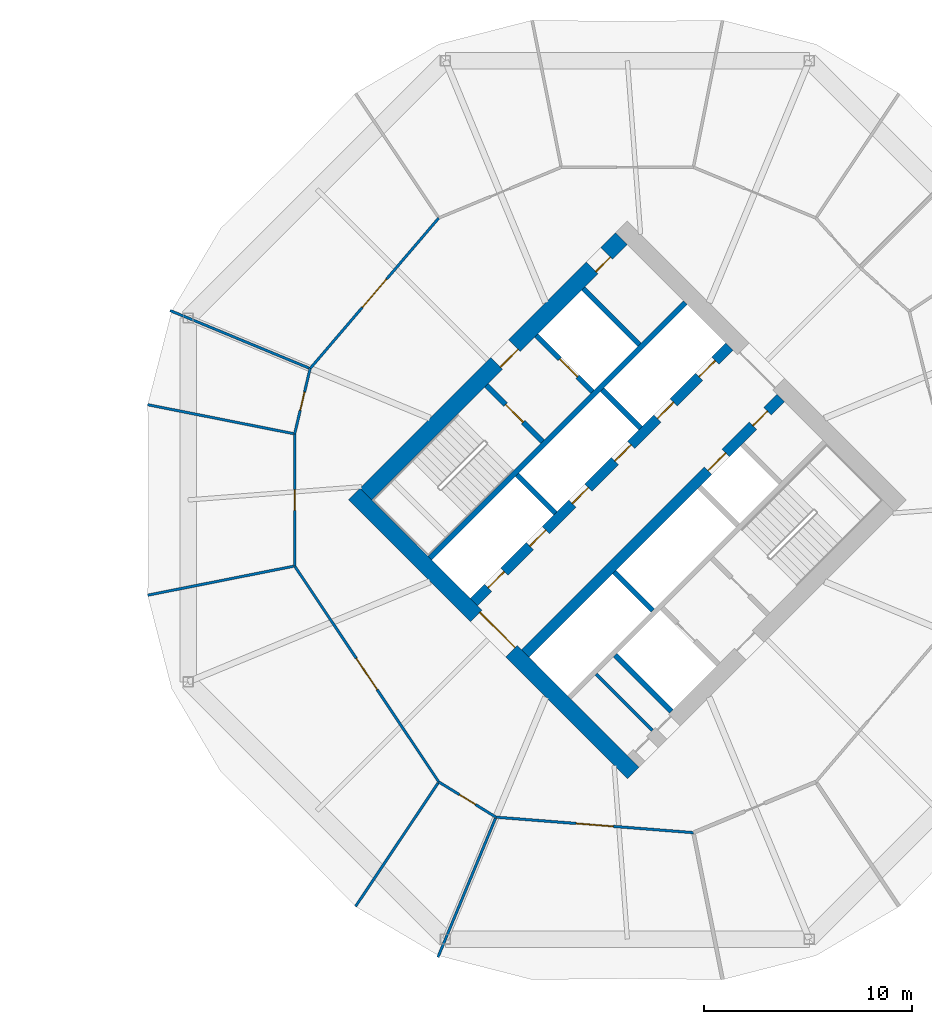
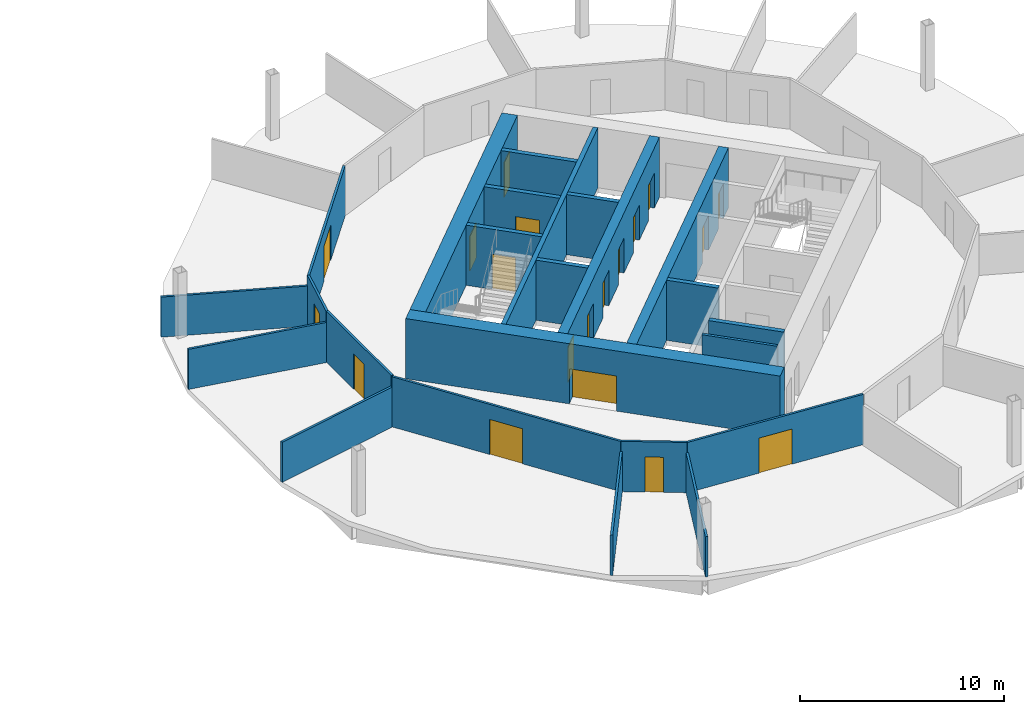
# One storey, part 7 of 10: 24 walls, 19 doors, 19 openings.
"""IFC4 building model written with IfcOpenShell, lengths in metres."""

from ifc_helpers import new_model, si_unit, direction, frame, frame_2d, origin, place, context, subcontext, project, spatial, rectangle, extrude, material, layer, layer_set, type_object, element, fill, save


model = new_model("IFC4")

# Units and contexts
model_context = context("Model", 3, precision=1e-05, world=origin(), true_north=direction((0.0, 1.0)))
body_context = subcontext(model_context, "Body", "Model", "MODEL_VIEW")
ifc_project = project(units=[si_unit("LENGTHUNIT", "METRE"), si_unit("AREAUNIT", "SQUARE_METRE"), si_unit("VOLUMEUNIT", "CUBIC_METRE"), si_unit("PLANEANGLEUNIT", "RADIAN"), si_unit("MASSUNIT", "GRAM", prefix="KILO")], contexts=[model_context])

# Site, building, storey
site_placement = place(None, origin())
site = spatial("IfcSite", under=ifc_project, at=site_placement, CompositionType="ELEMENT")
building_placement = place(site_placement, origin())
building = spatial("IfcBuilding", under=site, at=building_placement, Name="Ogive Gate Towers", CompositionType="ELEMENT")
storey_placement = place(building_placement, frame((0.0, 0.0, 59.699951171875)))
storey = spatial("IfcBuildingStorey", under=building, at=storey_placement, Name="L13", CompositionType="ELEMENT", Elevation=59.699951171875)

# Wall, openings, doors
ifc_material_1 = material(Name="Concrete C60/75", Category="concrete")
ifc_layer_1 = layer(ifc_material_1, 0.800048828125)
ifc_layer_set_1 = layer_set([ifc_layer_1], Name="Core wall 800 mm")
wall_type_1 = type_object("IfcWallType", Name="Core wall 800 mm", PredefinedType="SHEAR", material=ifc_layer_set_1)
wall_1_placement = place(storey_placement, frame((23.41357421875, 0.28271484375, 0.0), z_axis=(0.0, 0.0, 1.0), x_axis=(0.707106781187, 0.707106781187, 0.0)))
wall_1 = element("IfcWall", 1, at=wall_1_placement, inside=storey, type_object=wall_type_1, Name="T2 L13 Core wall 800 mm", PredefinedType="SHEAR", context=body_context, shape_type="SweptSolid", body=[
    extrude(rectangle(XDim=17.400146484375, YDim=0.800048828125, at=frame_2d((8.7001953125, 0.0))), origin(), (0.0, 0.0, 1.0), 3.60009765625),
])
opening_1_placement = place(wall_1_placement, frame((8.89990234375, 0.0, 0.0)))
opening_1 = element("IfcOpeningElement", 2, at=opening_1_placement, cuts=wall_1, Name="Opening KD-T2-L13-15", PredefinedType="OPENING", context=body_context, shape_type="SweptSolid", body=[
    extrude(rectangle(XDim=1.199951171875, YDim=2.10009765625, at=frame_2d((0.60009765625, 1.050048828125))), frame((0.0, 0.41015625, 0.0), z_axis=(0.0, -1.0, 0.0), x_axis=(1.0, 0.0, 0.0)), (0.0, 0.0, 1.0), 0.820068359375),
])
opening_2_placement = place(wall_1_placement, frame((15.39990234375, 0.0, 0.0)))
opening_2 = element("IfcOpeningElement", 3, at=opening_2_placement, cuts=wall_1, Name="Opening KD-T2-L13-17", PredefinedType="OPENING", context=body_context, shape_type="SweptSolid", body=[
    extrude(rectangle(XDim=1.0, YDim=2.10009765625, at=frame_2d((0.5, 1.050048828125))), frame((0.0, 0.41015625, 0.0), z_axis=(0.0, -1.0, 0.0), x_axis=(1.0, 0.0, 0.0)), (0.0, 0.0, 1.0), 0.820068359375),
])
ifc_material_2 = material(Name="Timber door", Category="wood")
door_type_1 = type_object("IfcDoorType", Name="Accessible WC door 1000 x 2100", OperationType="NOTDEFINED", PredefinedType="DOOR", material=ifc_material_2)
door_1_placement = place(opening_2_placement, origin())
door_1 = element("IfcDoor", 4, at=door_1_placement, inside=storey, type_object=door_type_1, Name="T2 L13 Core door", OperationType="SINGLE_SWING_RIGHT", OverallHeight=2.10009765625, OverallWidth=1.0, PredefinedType="DOOR", context=body_context, shape_type="SweptSolid", body=[
    extrude(rectangle(XDim=1.0, YDim=2.10009765625, at=frame_2d((0.5, 1.050048828125))), frame((0.0, -0.22509765625, 0.0), z_axis=(0.0, -1.0, 0.0), x_axis=(1.0, 0.0, 0.0)), (0.0, 0.0, 1.0), 0.050048828125),
])
fill(opening_2, door_1)
ifc_material_3 = material(Name="Steel fire door", Category="steel")
door_type_2 = type_object("IfcDoorType", Name="Core door FD60S 1200 x 2100", OperationType="NOTDEFINED", PredefinedType="DOOR", material=ifc_material_3)
door_2_placement = place(opening_1_placement, origin())
door_2 = element("IfcDoor", 5, at=door_2_placement, inside=storey, type_object=door_type_2, Name="T2 L13 Fire-fighting lobby door", OperationType="SINGLE_SWING_RIGHT", OverallHeight=2.10009765625, OverallWidth=1.199951171875, PredefinedType="DOOR", context=body_context, shape_type="SweptSolid", body=[
    extrude(rectangle(XDim=1.199951171875, YDim=2.10009765625, at=frame_2d((0.60009765625, 1.050048828125))), frame((0.0, -0.22509765625, 0.0), z_axis=(0.0, -1.0, 0.0), x_axis=(1.0, 0.0, 0.0)), (0.0, 0.0, 1.0), 0.050048828125),
])
fill(opening_1, door_2)

# Wall, opening, door
wall_2_placement = place(storey_placement, frame((36.28271484375, -13.152099609375, 0.0), z_axis=(0.0, 0.0, 1.0), x_axis=(-0.707106781187, 0.707106781187, 0.0)))
wall_2 = element("IfcWall", 6, at=wall_2_placement, inside=storey, type_object=wall_type_1, Name="T2 L13 Core wall 800 mm", PredefinedType="SHEAR", context=body_context, shape_type="SweptSolid", body=[
    extrude(rectangle(XDim=18.999755859375, YDim=0.800048828125, at=frame_2d((9.5, 0.0))), origin(), (0.0, 0.0, 1.0), 3.60009765625),
])
opening_3_placement = place(wall_2_placement, frame((8.300048828125, 0.0, 0.0)))
opening_3 = element("IfcOpeningElement", 7, at=opening_3_placement, cuts=wall_2, Name="Opening KD-T2-L13-01", PredefinedType="OPENING", context=body_context, shape_type="SweptSolid", body=[
    extrude(rectangle(XDim=2.39990234375, YDim=2.10009765625, at=frame_2d((1.199951171875, 1.050048828125))), frame((0.0, 0.41015625, 0.0), z_axis=(0.0, -1.0, 0.0), x_axis=(1.0, 0.0, 0.0)), (0.0, 0.0, 1.0), 0.820068359375),
])
door_type_3 = type_object("IfcDoorType", Name="Core double door FD60S 2400 x 2100", OperationType="DOUBLE_DOOR_SINGLE_SWING", PredefinedType="DOOR", material=ifc_material_3)
door_3_placement = place(opening_3_placement, origin())
door_3 = element("IfcDoor", 8, at=door_3_placement, inside=storey, type_object=door_type_3, Name="T2 L13 Core door double", OperationType="DOUBLE_DOOR_SINGLE_SWING", OverallHeight=2.10009765625, OverallWidth=2.39990234375, PredefinedType="DOOR", context=body_context, shape_type="SweptSolid", body=[
    extrude(rectangle(XDim=2.39990234375, YDim=2.10009765625, at=frame_2d((1.199951171875, 1.050048828125))), frame((0.0, -0.22509765625, 0.0), z_axis=(0.0, -1.0, 0.0), x_axis=(1.0, 0.0, 0.0)), (0.0, 0.0, 1.0), 0.050048828125),
])
fill(opening_3, door_3)

# Walls
ifc_material_4 = material(Name="Gypsum board partition")
ifc_layer_2 = layer(ifc_material_4, 0.125)
ifc_layer_set_2 = layer_set([ifc_layer_2], Name="Partition 125")
wall_type_2 = type_object("IfcWallType", Name="Partition 125", PredefinedType="PARTITIONING", material=ifc_layer_set_2)
wall_3_placement = place(storey_placement, frame((13.97216796875, 9.124267578125, 0.0), z_axis=(0.0, 0.0, 1.0), x_axis=(0.923884069803, -0.382672478191, 0.0)))
element("IfcWall", 9, at=wall_3_placement, inside=storey, type_object=wall_type_2, Name="Partition T2-L13-008", PredefinedType="PARTITIONING", context=body_context, shape_type="SweptSolid", body=[
    extrude(rectangle(XDim=7.2392578125, YDim=0.125, at=frame_2d((3.61962890625, 0.0))), origin(), (0.0, 0.0, 1.0), 2.400146484375),
])
for number, where, z_axis, x_axis, name in (
    (10, (12.8916015625, 4.5888671875, 0.0), (0.0, 0.0, 1.0), (0.980844819521, -0.194790759581, 0.0), "Partition T2-L13-009"),
    (11, (12.8916015625, -4.5888671875, 0.0), (0.0, 0.0, 1.0), (0.980844819521, 0.194790759581, 0.0), "Partition T2-L13-010"),
):
    element("IfcWall", number, at=place(storey_placement, frame(where, z_axis=z_axis, x_axis=x_axis)), inside=storey, type_object=wall_type_2, Name=name, PredefinedType="PARTITIONING", context=body_context, shape_type="SweptSolid", body=[
        extrude(rectangle(XDim=7.15673828125, YDim=0.125, at=frame_2d((3.578369140625, 0.0))), origin(), (0.0, 0.0, 1.0), 2.400146484375),
    ])
wall_4_placement = place(storey_placement, frame((22.904541015625, -19.584716796875, 0.0), z_axis=(0.0, 0.0, 1.0), x_axis=(0.55586480032, 0.831272713232, 0.0)))
element("IfcWall", 12, at=wall_4_placement, inside=storey, type_object=wall_type_2, Name="Partition T2-L13-011", PredefinedType="PARTITIONING", context=body_context, shape_type="SweptSolid", body=[
    extrude(rectangle(XDim=7.156494140625, YDim=0.125, at=frame_2d((3.578125, 0.0))), origin(), (0.0, 0.0, 1.0), 2.400146484375),
])
wall_5_placement = place(storey_placement, frame((26.875732421875, -22.02783203125, 0.0), z_axis=(0.0, 0.0, 1.0), x_axis=(0.382672478191, 0.923884069803, 0.0)))
element("IfcWall", 13, at=wall_5_placement, inside=storey, type_object=wall_type_2, Name="Partition T2-L13-012", PredefinedType="PARTITIONING", context=body_context, shape_type="SweptSolid", body=[
    extrude(rectangle(XDim=7.2392578125, YDim=0.125, at=frame_2d((3.61962890625, 0.0))), origin(), (0.0, 0.0, 1.0), 2.400146484375),
])

# Wall, opening, door
wall_6_placement = place(storey_placement, frame((20.718017578125, 6.330078125, 0.0), z_axis=(0.0, 0.0, 1.0), x_axis=(-0.230511522285, -0.973069595709, 0.0)))
wall_6 = element("IfcWall", 14, at=wall_6_placement, inside=storey, type_object=wall_type_2, Name="Partition T2-L13-016", PredefinedType="PARTITIONING", context=body_context, shape_type="SweptSolid", body=[
    extrude(rectangle(XDim=3.234619140625, YDim=0.125, at=frame_2d((1.6171875, 0.0))), origin(), (0.0, 0.0, 1.0), 3.010009765625),
])
opening_4_placement = place(wall_6_placement, frame((1.1669921875, 0.0, 0.0)))
opening_4 = element("IfcOpeningElement", 15, at=opening_4_placement, cuts=wall_6, Name="Opening T2-L13-D01", PredefinedType="OPENING", context=body_context, shape_type="SweptSolid", body=[
    extrude(rectangle(XDim=0.89990234375, YDim=2.10009765625, at=frame_2d((0.449951171875, 1.050048828125))), frame((0.0, 0.072509765625, 0.0), z_axis=(0.0, -1.0, 0.0), x_axis=(1.0, 0.0, 0.0)), (0.0, 0.0, 1.0), 0.14501953125),
])
door_type_4 = type_object("IfcDoorType", Name="Door 900", OperationType="NOTDEFINED", PredefinedType="DOOR", material=ifc_material_2)
door_4_placement = place(opening_4_placement, origin())
door_4 = element("IfcDoor", 16, at=door_4_placement, inside=storey, type_object=door_type_4, Name="Door T2-L13-D01", OperationType="SINGLE_SWING_LEFT", OverallHeight=2.10009765625, OverallWidth=0.89990234375, PredefinedType="DOOR", context=body_context, shape_type="SweptSolid", body=[
    extrude(rectangle(XDim=0.89990234375, YDim=2.10009765625, at=frame_2d((0.449951171875, 1.050048828125))), frame((0.0, 0.02490234375, 0.0), z_axis=(0.0, -1.0, 0.0), x_axis=(1.0, 0.0, 0.0)), (0.0, 0.0, 1.0), 0.050048828125),
])
fill(opening_4, door_4)

wall_7_placement = place(storey_placement, frame((19.972412109375, 3.1826171875, 0.0), z_axis=(0.0, 0.0, 1.0), x_axis=(0.0, -1.0, 0.0)))
wall_7 = element("IfcWall", 17, at=wall_7_placement, inside=storey, type_object=wall_type_2, Name="Partition T2-L13-017", PredefinedType="PARTITIONING", context=body_context, shape_type="SweptSolid", body=[
    extrude(rectangle(XDim=6.365234375, YDim=0.125, at=frame_2d((3.1826171875, 0.0))), origin(), (0.0, 0.0, 1.0), 3.050048828125),
])
opening_5_placement = place(wall_7_placement, frame((2.68310546875, 0.0, 0.0)))
opening_5 = element("IfcOpeningElement", 18, at=opening_5_placement, cuts=wall_7, Name="Opening T2-L13-D02", PredefinedType="OPENING", context=body_context, shape_type="SweptSolid", body=[
    extrude(rectangle(XDim=1.0, YDim=2.10009765625, at=frame_2d((0.5, 1.050048828125))), frame((0.0, 0.072509765625, 0.0), z_axis=(0.0, -1.0, 0.0), x_axis=(1.0, 0.0, 0.0)), (0.0, 0.0, 1.0), 0.14501953125),
])
door_type_5 = type_object("IfcDoorType", Name="Door 1000", OperationType="NOTDEFINED", PredefinedType="DOOR", material=ifc_material_2)
door_5_placement = place(opening_5_placement, origin())
door_5 = element("IfcDoor", 19, at=door_5_placement, inside=storey, type_object=door_type_5, Name="Door T2-L13-D02", OperationType="SINGLE_SWING_RIGHT", OverallHeight=2.10009765625, OverallWidth=1.0, PredefinedType="DOOR", context=body_context, shape_type="SweptSolid", body=[
    extrude(rectangle(XDim=1.0, YDim=2.10009765625, at=frame_2d((0.5, 1.050048828125))), frame((0.0, 0.02490234375, 0.0), z_axis=(0.0, -1.0, 0.0), x_axis=(1.0, 0.0, 0.0)), (0.0, 0.0, 1.0), 0.050048828125),
])
fill(opening_5, door_5)

wall_8_placement = place(storey_placement, frame((19.972412109375, -3.1826171875, 0.0), z_axis=(0.0, 0.0, 1.0), x_axis=(0.555294694613, -0.831653655156, 0.0)))
wall_8 = element("IfcWall", 20, at=wall_8_placement, inside=storey, type_object=wall_type_2, Name="Partition T2-L13-018", PredefinedType="PARTITIONING", context=body_context, shape_type="SweptSolid", body=[
    extrude(rectangle(XDim=12.506591796875, YDim=0.125, at=frame_2d((6.25341796875, 0.0))), origin(), (0.0, 0.0, 1.0), 3.0),
])
opening_6_placement = place(wall_8_placement, frame((5.35302734375, 0.0, 0.0)))
opening_6 = element("IfcOpeningElement", 21, at=opening_6_placement, cuts=wall_8, Name="Opening T2-L13-D03", PredefinedType="OPENING", context=body_context, shape_type="SweptSolid", body=[
    extrude(rectangle(XDim=1.800048828125, YDim=2.10009765625, at=frame_2d((0.89990234375, 1.050048828125))), frame((0.0, 0.072509765625, 0.0), z_axis=(0.0, -1.0, 0.0), x_axis=(1.0, 0.0, 0.0)), (0.0, 0.0, 1.0), 0.14501953125),
])
door_type_6 = type_object("IfcDoorType", Name="Door pair 1800", OperationType="NOTDEFINED", PredefinedType="DOOR", material=ifc_material_2)
door_6_placement = place(opening_6_placement, origin())
door_6 = element("IfcDoor", 22, at=door_6_placement, inside=storey, type_object=door_type_6, Name="Door T2-L13-D03", OperationType="DOUBLE_DOOR_DOUBLE_SWING", OverallHeight=2.10009765625, OverallWidth=1.800048828125, PredefinedType="DOOR", context=body_context, shape_type="SweptSolid", body=[
    extrude(rectangle(XDim=1.800048828125, YDim=2.10009765625, at=frame_2d((0.89990234375, 1.050048828125))), frame((0.0, 0.02490234375, 0.0), z_axis=(0.0, -1.0, 0.0), x_axis=(1.0, 0.0, 0.0)), (0.0, 0.0, 1.0), 0.050048828125),
])
fill(opening_6, door_6)

wall_9_placement = place(storey_placement, frame((26.917236328125, -13.583740234375, 0.0), z_axis=(0.0, 0.0, 1.0), x_axis=(0.851066872597, -0.525057309604, 0.0)))
wall_9 = element("IfcWall", 23, at=wall_9_placement, inside=storey, type_object=wall_type_2, Name="Partition T2-L13-019", PredefinedType="PARTITIONING", context=body_context, shape_type="SweptSolid", body=[
    extrude(rectangle(XDim=3.234375, YDim=0.125, at=frame_2d((1.6171875, 0.0))), origin(), (0.0, 0.0, 1.0), 3.010009765625),
])
opening_7_placement = place(wall_9_placement, frame((1.1669921875, 0.0, 0.0)))
opening_7 = element("IfcOpeningElement", 24, at=opening_7_placement, cuts=wall_9, Name="Opening T2-L13-D04", PredefinedType="OPENING", context=body_context, shape_type="SweptSolid", body=[
    extrude(rectangle(XDim=0.89990234375, YDim=2.10009765625, at=frame_2d((0.449951171875, 1.050048828125))), frame((0.0, 0.072509765625, 0.0), z_axis=(0.0, -1.0, 0.0), x_axis=(1.0, 0.0, 0.0)), (0.0, 0.0, 1.0), 0.14501953125),
])
door_7_placement = place(opening_7_placement, origin())
door_7 = element("IfcDoor", 25, at=door_7_placement, inside=storey, type_object=door_type_4, Name="Door T2-L13-D04", OperationType="SINGLE_SWING_LEFT", OverallHeight=2.10009765625, OverallWidth=0.89990234375, PredefinedType="DOOR", context=body_context, shape_type="SweptSolid", body=[
    extrude(rectangle(XDim=0.89990234375, YDim=2.10009765625, at=frame_2d((0.449951171875, 1.050048828125))), frame((0.0, 0.02490234375, 0.0), z_axis=(0.0, -1.0, 0.0), x_axis=(1.0, 0.0, 0.0)), (0.0, 0.0, 1.0), 0.050048828125),
])
fill(opening_7, door_7)

wall_10_placement = place(storey_placement, frame((29.669921875, -15.281982421875, 0.0), z_axis=(0.0, 0.0, 1.0), x_axis=(0.996942365505, -0.078140385593, 0.0)))
wall_10 = element("IfcWall", 26, at=wall_10_placement, inside=storey, type_object=wall_type_2, Name="Partition T2-L13-020", PredefinedType="PARTITIONING", context=body_context, shape_type="SweptSolid", body=[
    extrude(rectangle(XDim=9.5419921875, YDim=0.125, at=frame_2d((4.77099609375, 0.0))), origin(), (0.0, 0.0, 1.0), 3.010009765625),
])
opening_8_placement = place(wall_10_placement, frame((3.87109375, 0.0, 0.0)))
opening_8 = element("IfcOpeningElement", 27, at=opening_8_placement, cuts=wall_10, Name="Opening T2-L13-D05", PredefinedType="OPENING", context=body_context, shape_type="SweptSolid", body=[
    extrude(rectangle(XDim=1.800048828125, YDim=2.10009765625, at=frame_2d((0.89990234375, 1.050048828125))), frame((0.0, 0.072509765625, 0.0), z_axis=(0.0, -1.0, 0.0), x_axis=(1.0, 0.0, 0.0)), (0.0, 0.0, 1.0), 0.14501953125),
])
door_8_placement = place(opening_8_placement, origin())
door_8 = element("IfcDoor", 28, at=door_8_placement, inside=storey, type_object=door_type_6, Name="Door T2-L13-D05", OperationType="DOUBLE_DOOR_DOUBLE_SWING", OverallHeight=2.10009765625, OverallWidth=1.800048828125, PredefinedType="DOOR", context=body_context, shape_type="SweptSolid", body=[
    extrude(rectangle(XDim=1.800048828125, YDim=2.10009765625, at=frame_2d((0.89990234375, 1.050048828125))), frame((0.0, 0.02490234375, 0.0), z_axis=(0.0, -1.0, 0.0), x_axis=(1.0, 0.0, 0.0)), (0.0, 0.0, 1.0), 0.050048828125),
])
fill(opening_8, door_8)

wall_11_placement = place(storey_placement, frame((26.917236328125, 13.583740234375, 0.0), z_axis=(0.0, 0.0, 1.0), x_axis=(-0.649690774844, -0.760198590556, 0.0)))
wall_11 = element("IfcWall", 29, at=wall_11_placement, inside=storey, type_object=wall_type_2, Name="Partition T2-L13-030", PredefinedType="PARTITIONING", context=body_context, shape_type="SweptSolid", body=[
    extrude(rectangle(XDim=9.541748046875, YDim=0.125, at=frame_2d((4.77099609375, 0.0))), origin(), (0.0, 0.0, 1.0), 3.0),
])
opening_9_placement = place(wall_11_placement, frame((3.87109375, 0.0, 0.0)))
opening_9 = element("IfcOpeningElement", 30, at=opening_9_placement, cuts=wall_11, Name="Opening T2-L13-D15", PredefinedType="OPENING", context=body_context, shape_type="SweptSolid", body=[
    extrude(rectangle(XDim=1.800048828125, YDim=2.10009765625, at=frame_2d((0.89990234375, 1.050048828125))), frame((0.0, 0.072509765625, 0.0), z_axis=(0.0, -1.0, 0.0), x_axis=(1.0, 0.0, 0.0)), (0.0, 0.0, 1.0), 0.14501953125),
])
door_9_placement = place(opening_9_placement, origin())
door_9 = element("IfcDoor", 31, at=door_9_placement, inside=storey, type_object=door_type_6, Name="Door T2-L13-D15", OperationType="DOUBLE_DOOR_DOUBLE_SWING", OverallHeight=2.10009765625, OverallWidth=1.800048828125, PredefinedType="DOOR", context=body_context, shape_type="SweptSolid", body=[
    extrude(rectangle(XDim=1.800048828125, YDim=2.10009765625, at=frame_2d((0.89990234375, 1.050048828125))), frame((0.0, 0.02490234375, 0.0), z_axis=(0.0, -1.0, 0.0), x_axis=(1.0, 0.0, 0.0)), (0.0, 0.0, 1.0), 0.050048828125),
])
fill(opening_9, door_9)

# Walls
ifc_layer_3 = layer(ifc_material_4, 0.14990234375)
ifc_layer_set_3 = layer_set([ifc_layer_3], Name="Room partition 150 mm")
wall_type_3 = type_object("IfcWallType", Name="Room partition 150 mm", PredefinedType="PARTITIONING", material=ifc_layer_set_3)
wall_12_placement = place(storey_placement, frame((37.2021484375, -11.1015625, 0.0), z_axis=(0.0, 0.0, 1.0), x_axis=(-0.707138693938, 0.707074866995, 0.0)))
element("IfcWall", 32, at=wall_12_placement, inside=storey, type_object=wall_type_3, Name="T2 L13 Room partition 150 mm", PredefinedType="PARTITIONING", context=body_context, shape_type="SweptSolid", body=[
    extrude(rectangle(XDim=3.824951171875, YDim=0.14990234375, at=frame_2d((1.91259765625, 0.0))), origin(), (0.0, 0.0, 1.0), 3.60009765625),
])
ifc_layer_4 = layer(ifc_material_1, 0.25)
ifc_layer_set_4 = layer_set([ifc_layer_4], Name="Shaft wall 250 mm")
wall_type_4 = type_object("IfcWallType", Name="Shaft wall 250 mm", PredefinedType="SHEAR", material=ifc_layer_set_4)
wall_13_placement = place(storey_placement, frame((26.489501953125, -2.793212890625, 0.0), z_axis=(0.0, 0.0, 1.0), x_axis=(0.707106781187, 0.707106781187, 0.0)))
element("IfcWall", 33, at=wall_13_placement, inside=storey, type_object=wall_type_4, Name="T2 L13 Shaft wall 250 mm", PredefinedType="SHEAR", context=body_context, shape_type="SweptSolid", body=[
    extrude(rectangle(XDim=17.400146484375, YDim=0.25, at=frame_2d((8.7001953125, 0.0))), origin(), (0.0, 0.0, 1.0), 3.60009765625),
])
wall_14_placement = place(storey_placement, frame((38.121337890625, -10.182373046875, 0.0), z_axis=(0.0, 0.0, 1.0), x_axis=(-0.707138693938, 0.707074866995, 0.0)))
element("IfcWall", 34, at=wall_14_placement, inside=storey, type_object=wall_type_4, Name="T2 L13 Shaft wall 250 mm", PredefinedType="SHEAR", context=body_context, shape_type="SweptSolid", body=[
    extrude(rectangle(XDim=3.824951171875, YDim=0.25, at=frame_2d((1.91259765625, 0.0))), origin(), (0.0, 0.0, 1.0), 3.60009765625),
])
for number, where, z_axis, x_axis, name in (
    (35, (37.2197265625, -5.321044921875, 0.0), (0.0, 0.0, 1.0), (-0.707106781187, 0.707106781187, 0.0), "T2 L13 Shaft wall 250 mm"),
    (36, (32.53515625, -0.636474609375, 0.0), (0.0, 0.0, 1.0), (-0.707106781187, 0.707106781187, 0.0), "T2 L13 Shaft wall 250 mm"),
):
    element("IfcWall", number, at=place(storey_placement, frame(where, z_axis=z_axis, x_axis=x_axis)), inside=storey, type_object=wall_type_4, Name=name, PredefinedType="SHEAR", context=body_context, shape_type="SweptSolid", body=[
        extrude(rectangle(XDim=2.625, YDim=0.25, at=frame_2d((1.3125, 0.0))), origin(), (0.0, 0.0, 1.0), 3.60009765625),
    ])

# Wall, opening, door
wall_15_placement = place(storey_placement, frame((31.91650390625, 2.810791015625, 0.0), z_axis=(0.0, 0.0, 1.0), x_axis=(-0.707106781187, 0.707106781187, 0.0)))
wall_15 = element("IfcWall", 37, at=wall_15_placement, inside=storey, type_object=wall_type_4, Name="T2 L13 Shaft wall 250 mm", PredefinedType="SHEAR", context=body_context, shape_type="SweptSolid", body=[
    extrude(rectangle(XDim=3.824951171875, YDim=0.25, at=frame_2d((1.91259765625, 0.0))), origin(), (0.0, 0.0, 1.0), 3.60009765625),
])
opening_10_placement = place(wall_15_placement, frame((1.324951171875, 0.0, 0.0)))
opening_10 = element("IfcOpeningElement", 38, at=opening_10_placement, cuts=wall_15, Name="Opening KD-T2-L13-13", PredefinedType="OPENING", context=body_context, shape_type="SweptSolid", body=[
    extrude(rectangle(XDim=1.199951171875, YDim=2.10009765625, at=frame_2d((0.60009765625, 1.050048828125))), frame((0.0, 0.135009765625, 0.0), z_axis=(0.0, -1.0, 0.0), x_axis=(1.0, 0.0, 0.0)), (0.0, 0.0, 1.0), 0.27001953125),
])
door_10_placement = place(opening_10_placement, origin())
door_10 = element("IfcDoor", 39, at=door_10_placement, inside=storey, type_object=door_type_2, Name="T2 L13 Stair door", OperationType="SINGLE_SWING_RIGHT", OverallHeight=2.10009765625, OverallWidth=1.199951171875, PredefinedType="DOOR", context=body_context, shape_type="SweptSolid", body=[
    extrude(rectangle(XDim=1.199951171875, YDim=2.10009765625, at=frame_2d((0.60009765625, 1.050048828125))), frame((0.0, 0.02490234375, 0.0), z_axis=(0.0, -1.0, 0.0), x_axis=(1.0, 0.0, 0.0)), (0.0, 0.0, 1.0), 0.050048828125),
])
fill(opening_10, door_10)

wall_16_placement = place(storey_placement, frame((34.320556640625, 5.21484375, 0.0), z_axis=(0.0, 0.0, 1.0), x_axis=(-0.707074866995, 0.707138693938, 0.0)))
wall_16 = element("IfcWall", 40, at=wall_16_placement, inside=storey, type_object=wall_type_4, Name="T2 L13 Shaft wall 250 mm", PredefinedType="SHEAR", context=body_context, shape_type="SweptSolid", body=[
    extrude(rectangle(XDim=3.824951171875, YDim=0.25, at=frame_2d((1.91259765625, 0.0))), origin(), (0.0, 0.0, 1.0), 3.60009765625),
])
opening_11_placement = place(wall_16_placement, frame((1.02490234375, 0.0, 0.0)))
opening_11 = element("IfcOpeningElement", 41, at=opening_11_placement, cuts=wall_16, Name="Opening LD-T2-L13-10", PredefinedType="OPENING", context=body_context, shape_type="SweptSolid", body=[
    extrude(rectangle(XDim=1.199951171875, YDim=2.10009765625, at=frame_2d((0.60009765625, 1.050048828125))), frame((0.0, 0.135009765625, 0.0), z_axis=(0.0, -1.0, 0.0), x_axis=(1.0, 0.0, 0.0)), (0.0, 0.0, 1.0), 0.27001953125),
])
ifc_material_5 = material(Name="Stainless steel landing door", Category="steel")
door_type_7 = type_object("IfcDoorType", Name="Landing door 1200 x 2100", OperationType="SLIDING_TO_LEFT", PredefinedType="DOOR", material=ifc_material_5)
door_11_placement = place(opening_11_placement, origin())
door_11 = element("IfcDoor", 42, at=door_11_placement, inside=storey, type_object=door_type_7, Name="T2 L13 Lift landing door FF1", OperationType="SLIDING_TO_LEFT", OverallHeight=2.10009765625, OverallWidth=1.199951171875, PredefinedType="DOOR", context=body_context, shape_type="SweptSolid", body=[
    extrude(rectangle(XDim=1.199951171875, YDim=2.10009765625, at=frame_2d((0.60009765625, 1.050048828125))), frame((0.0, 0.02490234375, 0.0), z_axis=(0.0, -1.0, 0.0), x_axis=(1.0, 0.0, 0.0)), (0.0, 0.0, 1.0), 0.050048828125),
])
fill(opening_11, door_11)

# Walls
wall_17_placement = place(storey_placement, frame((36.636474609375, 3.46484375, 0.0), z_axis=(0.0, 0.0, 1.0), x_axis=(-0.707106781187, 0.707106781187, 0.0)))
element("IfcWall", 43, at=wall_17_placement, inside=storey, type_object=wall_type_4, Name="T2 L13 Shaft wall 250 mm", PredefinedType="SHEAR", context=body_context, shape_type="SweptSolid", body=[
    extrude(rectangle(XDim=2.625, YDim=0.25, at=frame_2d((1.3125, 0.0))), origin(), (0.0, 0.0, 1.0), 3.60009765625),
])
wall_18_placement = place(storey_placement, frame((36.58349609375, 7.477783203125, 0.0), z_axis=(0.0, 0.0, 1.0), x_axis=(-0.707138693938, 0.707074866995, 0.0)))
element("IfcWall", 44, at=wall_18_placement, inside=storey, type_object=wall_type_4, Name="T2 L13 Shaft wall 250 mm", PredefinedType="SHEAR", context=body_context, shape_type="SweptSolid", body=[
    extrude(rectangle(XDim=3.824951171875, YDim=0.25, at=frame_2d((1.91259765625, 0.0))), origin(), (0.0, 0.0, 1.0), 3.60009765625),
])

# Wall, openings, doors
ifc_layer_5 = layer(ifc_material_1, 0.5)
ifc_layer_set_5 = layer_set([ifc_layer_5], Name="Spine wall 500 mm")
wall_type_5 = type_object("IfcWallType", Name="Spine wall 500 mm", PredefinedType="SHEAR", material=ifc_layer_set_5)
wall_19_placement = place(storey_placement, frame((31.085693359375, -7.389404296875, 0.0), z_axis=(0.0, 0.0, 1.0), x_axis=(0.707106781187, 0.707106781187, 0.0)))
wall_19 = element("IfcWall", 45, at=wall_19_placement, inside=storey, type_object=wall_type_5, Name="T2 L13 Spine wall 500 mm", PredefinedType="SHEAR", context=body_context, shape_type="SweptSolid", body=[
    extrude(rectangle(XDim=17.400146484375, YDim=0.5, at=frame_2d((8.7001953125, 0.0))), origin(), (0.0, 0.0, 1.0), 3.60009765625),
])
opening_12_placement = place(wall_19_placement, frame((12.449951171875, 0.0, 0.0)))
opening_12 = element("IfcOpeningElement", 46, at=opening_12_placement, cuts=wall_19, Name="Opening LD-T2-L13-09", PredefinedType="OPENING", context=body_context, shape_type="SweptSolid", body=[
    extrude(rectangle(XDim=1.199951171875, YDim=2.10009765625, at=frame_2d((0.60009765625, 1.050048828125))), frame((0.0, 0.260009765625, 0.0), z_axis=(0.0, -1.0, 0.0), x_axis=(1.0, 0.0, 0.0)), (0.0, 0.0, 1.0), 0.52001953125),
])
opening_13_placement = place(wall_19_placement, frame((15.5, 0.0, 0.0)))
opening_13 = element("IfcOpeningElement", 47, at=opening_13_placement, cuts=wall_19, Name="Opening KD-T2-L13-12", PredefinedType="OPENING", context=body_context, shape_type="SweptSolid", body=[
    extrude(rectangle(XDim=1.0, YDim=2.10009765625, at=frame_2d((0.5, 1.050048828125))), frame((0.0, 0.260009765625, 0.0), z_axis=(0.0, -1.0, 0.0), x_axis=(1.0, 0.0, 0.0)), (0.0, 0.0, 1.0), 0.52001953125),
])
door_type_8 = type_object("IfcDoorType", Name="Core door FD60S 1000 x 2100", OperationType="NOTDEFINED", PredefinedType="DOOR", material=ifc_material_3)
door_12_placement = place(opening_13_placement, origin())
door_12 = element("IfcDoor", 48, at=door_12_placement, inside=storey, type_object=door_type_8, Name="T2 L13 Core door", OperationType="SINGLE_SWING_LEFT", OverallHeight=2.10009765625, OverallWidth=1.0, PredefinedType="DOOR", context=body_context, shape_type="SweptSolid", body=[
    extrude(rectangle(XDim=1.0, YDim=2.10009765625, at=frame_2d((0.5, 1.050048828125))), frame((0.0, 0.02490234375, 0.0), z_axis=(0.0, -1.0, 0.0), x_axis=(1.0, 0.0, 0.0)), (0.0, 0.0, 1.0), 0.050048828125),
])
fill(opening_13, door_12)
door_13_placement = place(opening_12_placement, origin())
door_13 = element("IfcDoor", 49, at=door_13_placement, inside=storey, type_object=door_type_7, Name="T2 L13 Lift landing door SVC", OperationType="SLIDING_TO_LEFT", OverallHeight=2.10009765625, OverallWidth=1.199951171875, PredefinedType="DOOR", context=body_context, shape_type="SweptSolid", body=[
    extrude(rectangle(XDim=1.199951171875, YDim=2.10009765625, at=frame_2d((0.60009765625, 1.050048828125))), frame((0.0, 0.02490234375, 0.0), z_axis=(0.0, -1.0, 0.0), x_axis=(1.0, 0.0, 0.0)), (0.0, 0.0, 1.0), 0.050048828125),
])
fill(opening_12, door_13)

wall_20_placement = place(storey_placement, frame((28.610595703125, -4.914306640625, 0.0), z_axis=(0.0, 0.0, 1.0), x_axis=(0.707106781187, 0.707106781187, 0.0)))
wall_20 = element("IfcWall", 50, at=wall_20_placement, inside=storey, type_object=wall_type_5, Name="T2 L13 Spine wall 500 mm", PredefinedType="SHEAR", context=body_context, shape_type="SweptSolid", body=[
    extrude(rectangle(XDim=17.400146484375, YDim=0.5, at=frame_2d((8.7001953125, 0.0))), origin(), (0.0, 0.0, 1.0), 3.60009765625),
])
opening_14_placement = place(wall_20_placement, frame((0.96240234375, 0.0, 0.0)))
opening_14 = element("IfcOpeningElement", 51, at=opening_14_placement, cuts=wall_20, Name="Opening LD-T2-L13-03", PredefinedType="OPENING", context=body_context, shape_type="SweptSolid", body=[
    extrude(rectangle(XDim=1.10009765625, YDim=2.10009765625, at=frame_2d((0.550048828125, 1.050048828125))), frame((0.0, 0.260009765625, 0.0), z_axis=(0.0, -1.0, 0.0), x_axis=(1.0, 0.0, 0.0)), (0.0, 0.0, 1.0), 0.52001953125),
])
opening_15_placement = place(wall_20_placement, frame((3.800048828125, 0.0, 0.0)))
opening_15 = element("IfcOpeningElement", 52, at=opening_15_placement, cuts=wall_20, Name="Opening LD-T2-L13-04", PredefinedType="OPENING", context=body_context, shape_type="SweptSolid", body=[
    extrude(rectangle(XDim=1.10009765625, YDim=2.10009765625, at=frame_2d((0.550048828125, 1.050048828125))), frame((0.0, 0.260009765625, 0.0), z_axis=(0.0, -1.0, 0.0), x_axis=(1.0, 0.0, 0.0)), (0.0, 0.0, 1.0), 0.52001953125),
])
opening_16_placement = place(wall_20_placement, frame((6.699951171875, 0.0, 0.0)))
opening_16 = element("IfcOpeningElement", 53, at=opening_16_placement, cuts=wall_20, Name="Opening LD-T2-L13-05", PredefinedType="OPENING", context=body_context, shape_type="SweptSolid", body=[
    extrude(rectangle(XDim=1.10009765625, YDim=2.10009765625, at=frame_2d((0.550048828125, 1.050048828125))), frame((0.0, 0.260009765625, 0.0), z_axis=(0.0, -1.0, 0.0), x_axis=(1.0, 0.0, 0.0)), (0.0, 0.0, 1.0), 0.52001953125),
])
opening_17_placement = place(wall_20_placement, frame((9.60009765625, 0.0, 0.0)))
opening_17 = element("IfcOpeningElement", 54, at=opening_17_placement, cuts=wall_20, Name="Opening LD-T2-L13-06", PredefinedType="OPENING", context=body_context, shape_type="SweptSolid", body=[
    extrude(rectangle(XDim=1.10009765625, YDim=2.10009765625, at=frame_2d((0.550048828125, 1.050048828125))), frame((0.0, 0.260009765625, 0.0), z_axis=(0.0, -1.0, 0.0), x_axis=(1.0, 0.0, 0.0)), (0.0, 0.0, 1.0), 0.52001953125),
])
opening_18_placement = place(wall_20_placement, frame((12.5, 0.0, 0.0)))
opening_18 = element("IfcOpeningElement", 55, at=opening_18_placement, cuts=wall_20, Name="Opening LD-T2-L13-07", PredefinedType="OPENING", context=body_context, shape_type="SweptSolid", body=[
    extrude(rectangle(XDim=1.10009765625, YDim=2.10009765625, at=frame_2d((0.550048828125, 1.050048828125))), frame((0.0, 0.260009765625, 0.0), z_axis=(0.0, -1.0, 0.0), x_axis=(1.0, 0.0, 0.0)), (0.0, 0.0, 1.0), 0.52001953125),
])
opening_19_placement = place(wall_20_placement, frame((15.33740234375, 0.0, 0.0)))
opening_19 = element("IfcOpeningElement", 56, at=opening_19_placement, cuts=wall_20, Name="Opening LD-T2-L13-08", PredefinedType="OPENING", context=body_context, shape_type="SweptSolid", body=[
    extrude(rectangle(XDim=1.10009765625, YDim=2.10009765625, at=frame_2d((0.550048828125, 1.050048828125))), frame((0.0, 0.260009765625, 0.0), z_axis=(0.0, -1.0, 0.0), x_axis=(1.0, 0.0, 0.0)), (0.0, 0.0, 1.0), 0.52001953125),
])
door_type_9 = type_object("IfcDoorType", Name="Landing door 1100 x 2100", OperationType="SLIDING_TO_LEFT", PredefinedType="DOOR", material=ifc_material_5)
door_14_placement = place(opening_14_placement, origin())
door_14 = element("IfcDoor", 57, at=door_14_placement, inside=storey, type_object=door_type_9, Name="T2 L13 Lift landing door A1", OperationType="SLIDING_TO_LEFT", OverallHeight=2.10009765625, OverallWidth=1.10009765625, PredefinedType="DOOR", context=body_context, shape_type="SweptSolid", body=[
    extrude(rectangle(XDim=1.10009765625, YDim=2.10009765625, at=frame_2d((0.550048828125, 1.050048828125))), frame((0.0, 0.02490234375, 0.0), z_axis=(0.0, -1.0, 0.0), x_axis=(1.0, 0.0, 0.0)), (0.0, 0.0, 1.0), 0.050048828125),
])
fill(opening_14, door_14)
door_15_placement = place(opening_15_placement, origin())
door_15 = element("IfcDoor", 58, at=door_15_placement, inside=storey, type_object=door_type_9, Name="T2 L13 Lift landing door A2", OperationType="SLIDING_TO_LEFT", OverallHeight=2.10009765625, OverallWidth=1.10009765625, PredefinedType="DOOR", context=body_context, shape_type="SweptSolid", body=[
    extrude(rectangle(XDim=1.10009765625, YDim=2.10009765625, at=frame_2d((0.550048828125, 1.050048828125))), frame((0.0, 0.02490234375, 0.0), z_axis=(0.0, -1.0, 0.0), x_axis=(1.0, 0.0, 0.0)), (0.0, 0.0, 1.0), 0.050048828125),
])
fill(opening_15, door_15)
door_16_placement = place(opening_16_placement, origin())
door_16 = element("IfcDoor", 59, at=door_16_placement, inside=storey, type_object=door_type_9, Name="T2 L13 Lift landing door A3", OperationType="SLIDING_TO_LEFT", OverallHeight=2.10009765625, OverallWidth=1.10009765625, PredefinedType="DOOR", context=body_context, shape_type="SweptSolid", body=[
    extrude(rectangle(XDim=1.10009765625, YDim=2.10009765625, at=frame_2d((0.550048828125, 1.050048828125))), frame((0.0, 0.02490234375, 0.0), z_axis=(0.0, -1.0, 0.0), x_axis=(1.0, 0.0, 0.0)), (0.0, 0.0, 1.0), 0.050048828125),
])
fill(opening_16, door_16)
door_17_placement = place(opening_17_placement, origin())
door_17 = element("IfcDoor", 60, at=door_17_placement, inside=storey, type_object=door_type_9, Name="T2 L13 Lift landing door A4", OperationType="SLIDING_TO_LEFT", OverallHeight=2.10009765625, OverallWidth=1.10009765625, PredefinedType="DOOR", context=body_context, shape_type="SweptSolid", body=[
    extrude(rectangle(XDim=1.10009765625, YDim=2.10009765625, at=frame_2d((0.550048828125, 1.050048828125))), frame((0.0, 0.02490234375, 0.0), z_axis=(0.0, -1.0, 0.0), x_axis=(1.0, 0.0, 0.0)), (0.0, 0.0, 1.0), 0.050048828125),
])
fill(opening_17, door_17)
door_18_placement = place(opening_18_placement, origin())
door_18 = element("IfcDoor", 61, at=door_18_placement, inside=storey, type_object=door_type_9, Name="T2 L13 Lift landing door A5", OperationType="SLIDING_TO_LEFT", OverallHeight=2.10009765625, OverallWidth=1.10009765625, PredefinedType="DOOR", context=body_context, shape_type="SweptSolid", body=[
    extrude(rectangle(XDim=1.10009765625, YDim=2.10009765625, at=frame_2d((0.550048828125, 1.050048828125))), frame((0.0, 0.02490234375, 0.0), z_axis=(0.0, -1.0, 0.0), x_axis=(1.0, 0.0, 0.0)), (0.0, 0.0, 1.0), 0.050048828125),
])
fill(opening_18, door_18)
door_19_placement = place(opening_19_placement, origin())
door_19 = element("IfcDoor", 62, at=door_19_placement, inside=storey, type_object=door_type_9, Name="T2 L13 Lift landing door A6", OperationType="SLIDING_TO_LEFT", OverallHeight=2.10009765625, OverallWidth=1.10009765625, PredefinedType="DOOR", context=body_context, shape_type="SweptSolid", body=[
    extrude(rectangle(XDim=1.10009765625, YDim=2.10009765625, at=frame_2d((0.550048828125, 1.050048828125))), frame((0.0, 0.02490234375, 0.0), z_axis=(0.0, -1.0, 0.0), x_axis=(1.0, 0.0, 0.0)), (0.0, 0.0, 1.0), 0.050048828125),
])
fill(opening_19, door_19)

save(model, "model.ifc")
